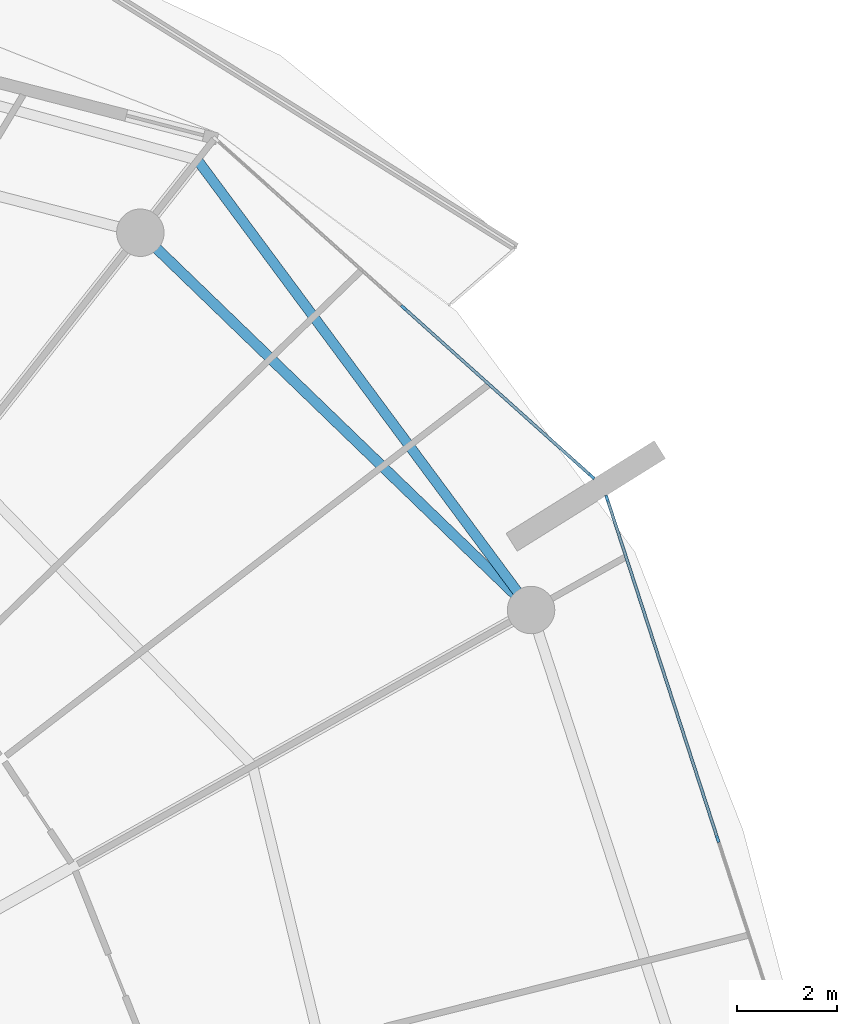
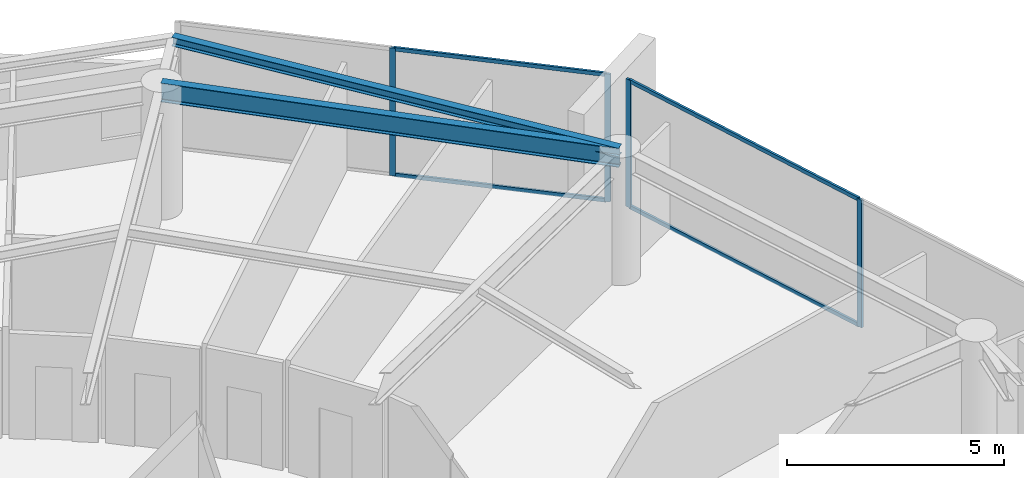
# One storey, part 14 of 29: 8 members, 2 beams, 2 elements without a shape of their own.
"""IFC4 building model written with IfcOpenShell, lengths in metres."""

from ifc_helpers import new_model, si_unit, direction, frame, origin, origin_2d, place, context, subcontext, project, spatial, rectangle, i_section, extrude, material, layer, layer_set, material_profile, profile_set, type_object, element, aggregate, save


model = new_model("IFC4")

# Units and contexts
model_context = context("Model", 3, precision=1e-05, world=origin(), true_north=direction((0.0, 1.0)))
body_context = subcontext(model_context, "Body", "Model", "MODEL_VIEW")
ifc_project = project(units=[si_unit("LENGTHUNIT", "METRE"), si_unit("AREAUNIT", "SQUARE_METRE"), si_unit("VOLUMEUNIT", "CUBIC_METRE"), si_unit("PLANEANGLEUNIT", "RADIAN"), si_unit("MASSUNIT", "GRAM", prefix="KILO")], contexts=[model_context])

# Site, building, storey
site_placement = place(None, origin())
site = spatial("IfcSite", under=ifc_project, at=site_placement, CompositionType="ELEMENT")
building_placement = place(site_placement, origin())
building = spatial("IfcBuilding", under=site, at=building_placement, Name="Kazma Halo Residences", CompositionType="ELEMENT")
storey_placement = place(building_placement, frame((0.0, 0.0, 282.89990234375)))
storey = spatial("IfcBuildingStorey", under=building, at=storey_placement, Name="L71", CompositionType="ELEMENT", Elevation=282.89990234375)

# Beams
ifc_material_1 = material(Name="Steel S355", Category="steel")
ifc_material_profile_1 = material_profile(ifc_material_1, i_section(OverallWidth=0.201904296875, OverallDepth=0.2470703125, WebThickness=0.00732421875, FlangeThickness=0.010986328125, FilletRadius=0.011962890625, at=origin_2d()), Name="W250x49.1")
ifc_profile_set_1 = profile_set([ifc_material_profile_1], Name="Steel S355")
beam_type_1 = type_object("IfcBeamType", Name="BM-BAL-CANT", PredefinedType="BEAM", material=ifc_profile_set_1)
beam_1_placement = place(storey_placement, frame((72.67041015625, 55.81591796875, 3.466552734375), z_axis=(-0.595556062515, 0.803313747176, 0.0), x_axis=(-0.803313747176, -0.595556062515, 0.0)))
element("IfcBeam", 1, at=beam_1_placement, inside=storey, type_object=beam_type_1, Name="L71 wave-balcony lead tie beam 01", PredefinedType="BEAM", context=body_context, shape_type="SweptSolid", body=[
    extrude(i_section(OverallWidth=0.201904296875, OverallDepth=0.2470703125, WebThickness=0.00732421875, FlangeThickness=0.010986328125, FilletRadius=0.011962890625, at=origin_2d()), origin(), (0.0, 0.0, 1.0), 11.213134765625),
])
ifc_material_profile_2 = material_profile(ifc_material_1, i_section(OverallWidth=0.208984375, OverallDepth=0.532958984375, WebThickness=0.01025390625, FlangeThickness=0.015625, FilletRadius=0.01611328125, at=origin_2d()), Name="W530x92")
ifc_profile_set_2 = profile_set([ifc_material_profile_2], Name="Steel S355")
beam_type_2 = type_object("IfcBeamType", Name="BM-SPN-W530", PredefinedType="BEAM", material=ifc_profile_set_2)
beam_2_placement = place(storey_placement, frame((72.67041015625, 55.81591796875, 3.323486328125), z_axis=(-0.719345757929, 0.694652201141, 0.0), x_axis=(-0.694652201141, -0.719345757929, 0.0)))
element("IfcBeam", 2, at=beam_2_placement, inside=storey, type_object=beam_type_2, Name="L71 perimeter ring beam 01", PredefinedType="BEAM", context=body_context, shape_type="SweptSolid", body=[
    extrude(i_section(OverallWidth=0.208984375, OverallDepth=0.532958984375, WebThickness=0.01025390625, FlangeThickness=0.015625, FilletRadius=0.01611328125, at=origin_2d()), origin(), (0.0, 0.0, 1.0), 10.87548828125),
])

# Curtain wall, members
ifc_material_2 = material(Name="Aluminium AW-6063 T6 and Triple-Silver Low-E Glass", Category="aluminium")
ifc_layer = layer(ifc_material_2, 0.139892578125)
ifc_layer_set = layer_set([ifc_layer], Name="Aluminium AW-6063 T6 and Triple-Silver Low-E Glass")
curtain_wall_type = type_object("IfcCurtainWallType", Name="CW-SYS-5", PredefinedType="NOTDEFINED", material=ifc_layer_set)
curtain_wall_1_placement = place(storey_placement, origin())
curtain_wall_1 = element("IfcCurtainWall", 3, at=curtain_wall_1_placement, inside=storey, type_object=curtain_wall_type, Name="L71 unitised curtain wall B01", PredefinedType="NOTDEFINED")
ifc_material_3 = material(Name="Aluminium AW-6063 T6", Category="aluminium")
ifc_material_profile_3 = material_profile(ifc_material_3, rectangle(XDim=0.06005859375, YDim=0.139892578125, at=origin_2d()), Name="CWM-60x140")
ifc_profile_set_3 = profile_set([ifc_material_profile_3], Name="Aluminium AW-6063 T6")
member_type_1 = type_object("IfcMemberType", Name="CW-SYS-5-MUL", PredefinedType="MULLION", material=ifc_profile_set_3)
member_1_placement = place(storey_placement, frame((73.88330078125, 58.491943359375, 0.0), z_axis=(0.0, 0.0, 1.0), x_axis=(-0.667804826958, -0.744336424671, 0.0)))
member_1 = element("IfcMember", 4, at=member_1_placement, type_object=member_type_1, Name="CWS-5 mullion 1", PredefinedType="MULLION", context=body_context, shape_type="SweptSolid", body=[
    extrude(rectangle(XDim=0.06005859375, YDim=0.139892578125, at=origin_2d()), origin(), (0.0, 0.0, 1.0), 3.590087890625),
])
member_2_placement = place(storey_placement, frame((70.121826171875, 61.86669921875, 0.0), z_axis=(0.0, 0.0, 1.0), x_axis=(-0.667804826958, -0.744336424671, 0.0)))
member_2 = element("IfcMember", 5, at=member_2_placement, type_object=member_type_1, Name="CWS-5 mullion 2", PredefinedType="MULLION", context=body_context, shape_type="SweptSolid", body=[
    extrude(rectangle(XDim=0.06005859375, YDim=0.139892578125, at=origin_2d()), origin(), (0.0, 0.0, 1.0), 3.590087890625),
])

curtain_wall_2_placement = place(storey_placement, origin())
curtain_wall_2 = element("IfcCurtainWall", 6, at=curtain_wall_2_placement, inside=storey, type_object=curtain_wall_type, Name="L71 unitised curtain wall B16", PredefinedType="NOTDEFINED")
member_3_placement = place(storey_placement, frame((76.40771484375, 51.230224609375, 0.0), z_axis=(0.0, 0.0, 1.0), x_axis=(-0.951058464359, -0.309010998786, 0.0)))
member_3 = element("IfcMember", 7, at=member_3_placement, type_object=member_type_1, Name="CWS-5 mullion 2", PredefinedType="MULLION", context=body_context, shape_type="SweptSolid", body=[
    extrude(rectangle(XDim=0.06005859375, YDim=0.139892578125, at=origin_2d()), origin(), (0.0, 0.0, 1.0), 3.590087890625),
])
member_4_placement = place(storey_placement, frame((74.1923828125, 58.0478515625, 0.0), z_axis=(0.0, 0.0, 1.0), x_axis=(-0.951058464359, -0.309010998786, 0.0)))
member_4 = element("IfcMember", 8, at=member_4_placement, type_object=member_type_1, Name="CWS-5 mullion 3", PredefinedType="MULLION", context=body_context, shape_type="SweptSolid", body=[
    extrude(rectangle(XDim=0.06005859375, YDim=0.139892578125, at=origin_2d()), origin(), (0.0, 0.0, 1.0), 3.590087890625),
])

# Member
ifc_material_profile_4 = material_profile(ifc_material_3, rectangle(XDim=0.06005859375, YDim=0.10498046875, at=origin_2d()), Name="CWT-60x105")
ifc_profile_set_4 = profile_set([ifc_material_profile_4], Name="Aluminium AW-6063 T6")
member_type_2 = type_object("IfcMemberType", Name="CW-SYS-5-TRN", PredefinedType="USERDEFINED", material=ifc_profile_set_4)
member_5_placement = place(storey_placement, frame((73.861083984375, 58.511962890625, 0.030029296875), z_axis=(-0.744328897483, 0.667813216679, 0.0), x_axis=(-0.667813216679, -0.744328897483, 0.0)))
member_5 = element("IfcMember", 9, at=member_5_placement, type_object=member_type_2, Name="CWS-5 transom 1.1", ObjectType="TRANSOM", PredefinedType="USERDEFINED", context=body_context, shape_type="SweptSolid", body=[
    extrude(rectangle(XDim=0.06005859375, YDim=0.10498046875, at=origin_2d()), origin(), (0.0, 0.0, 1.0), 4.993408203125),
])

member_6_placement = place(storey_placement, frame((73.861083984375, 58.511962890625, 3.56005859375), z_axis=(-0.744328897483, 0.667813216679, 0.0), x_axis=(-0.667813216679, -0.744328897483, 0.0)))
member_6 = element("IfcMember", 10, at=member_6_placement, type_object=member_type_2, Name="CWS-5 transom 1.2", ObjectType="TRANSOM", PredefinedType="USERDEFINED", context=body_context, shape_type="SweptSolid", body=[
    extrude(rectangle(XDim=0.06005859375, YDim=0.10498046875, at=origin_2d()), origin(), (0.0, 0.0, 1.0), 4.993408203125),
])

aggregate(curtain_wall_1, [member_1, member_2, member_5, member_6])

member_7_placement = place(storey_placement, frame((76.3984375, 51.2587890625, 0.030029296875), z_axis=(-0.309027052142, 0.95105324827, 0.0), x_axis=(-0.95105324827, -0.309027052142, 0.0)))
member_7 = element("IfcMember", 11, at=member_7_placement, type_object=member_type_2, Name="CWS-5 transom 2.1", ObjectType="TRANSOM", PredefinedType="USERDEFINED", context=body_context, shape_type="SweptSolid", body=[
    extrude(rectangle(XDim=0.06005859375, YDim=0.10498046875, at=origin_2d()), origin(), (0.0, 0.0, 1.0), 7.108642578125),
])

member_8_placement = place(storey_placement, frame((76.3984375, 51.2587890625, 3.56005859375), z_axis=(-0.309027052142, 0.95105324827, 0.0), x_axis=(-0.95105324827, -0.309027052142, 0.0)))
member_8 = element("IfcMember", 12, at=member_8_placement, type_object=member_type_2, Name="CWS-5 transom 2.2", ObjectType="TRANSOM", PredefinedType="USERDEFINED", context=body_context, shape_type="SweptSolid", body=[
    extrude(rectangle(XDim=0.06005859375, YDim=0.10498046875, at=origin_2d()), origin(), (0.0, 0.0, 1.0), 7.108642578125),
])

aggregate(curtain_wall_2, [member_3, member_4, member_7, member_8])

save(model, "model.ifc")
